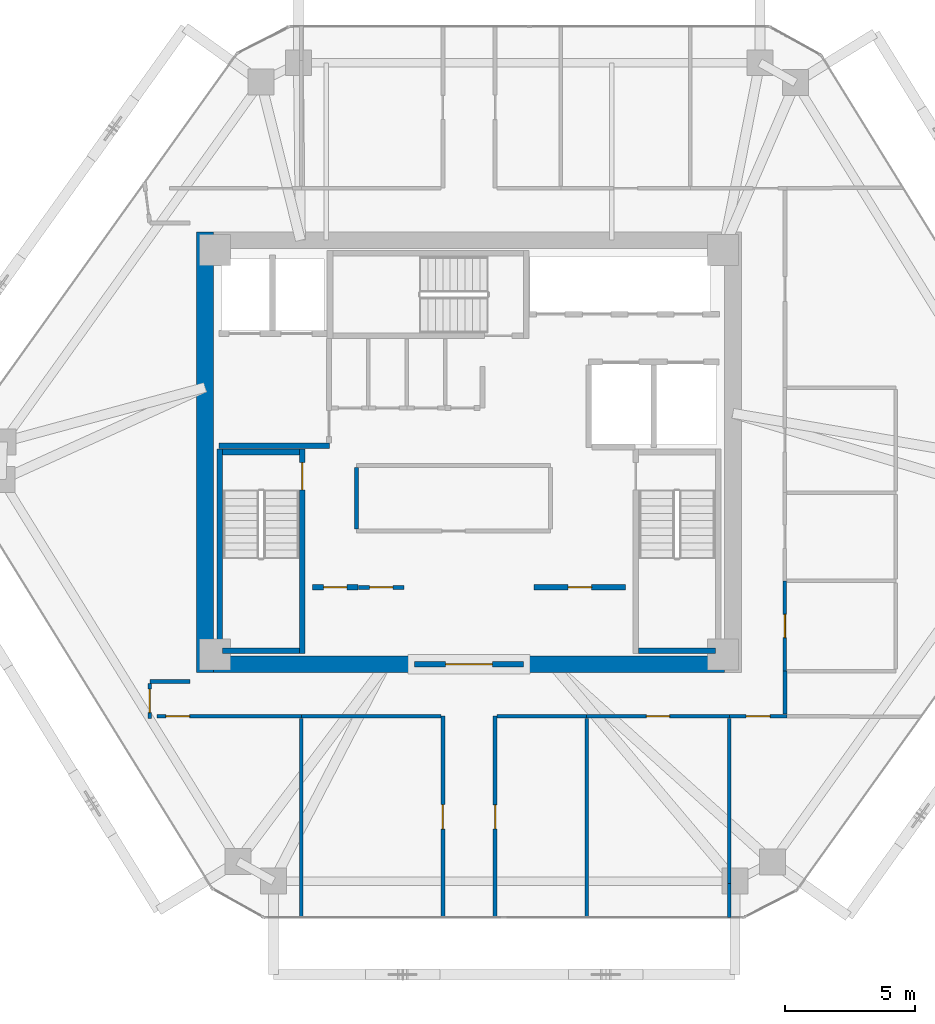
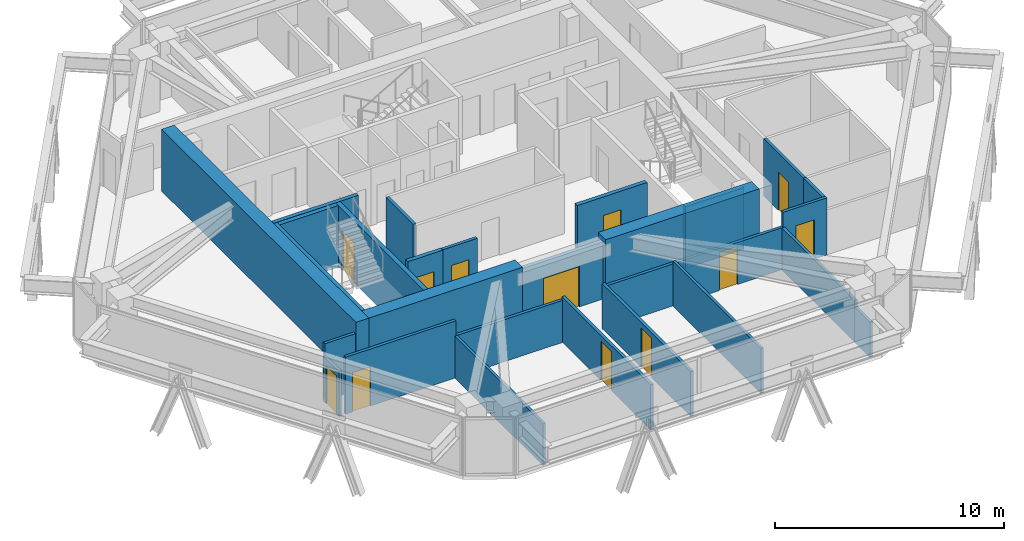
# One storey, part 10 of 14: 29 walls, 12 doors, 12 openings.
"""IFC4 building model written with IfcOpenShell, lengths in metres."""

from ifc_helpers import new_model, si_unit, direction, frame, frame_2d, origin, place, context, subcontext, project, spatial, rectangle, extrude, source, transform, mapped, material, layer, layer_set, type_object, type_shapes, element, fill, save


model = new_model("IFC4")

# Units and contexts
model_context = context("Model", 3, precision=1e-05, world=origin(), true_north=direction((0.0, 1.0)))
body_context = subcontext(model_context, "Body", "Model", "MODEL_VIEW")
ifc_project = project(units=[si_unit("LENGTHUNIT", "METRE"), si_unit("AREAUNIT", "SQUARE_METRE"), si_unit("VOLUMEUNIT", "CUBIC_METRE"), si_unit("PLANEANGLEUNIT", "RADIAN"), si_unit("MASSUNIT", "GRAM", prefix="KILO")], contexts=[model_context])

# Site, building, storey
site_placement = place(None, origin())
site = spatial("IfcSite", under=ifc_project, at=site_placement, CompositionType="ELEMENT")
building_placement = place(site_placement, origin())
building = spatial("IfcBuilding", under=site, at=building_placement, Name="Durnholm Broadcast Tower", CompositionType="ELEMENT")
storey_placement = place(building_placement, frame((0.0, 0.0, 180.39990234375)))
storey = spatial("IfcBuildingStorey", under=building, at=storey_placement, Name="L49", CompositionType="ELEMENT", Elevation=180.39990234375)

# Walls
ifc_material_1 = material(Name="Concrete C70/85", Category="concrete")
ifc_layer_1 = layer(ifc_material_1, 0.64990234375)
ifc_layer_set_1 = layer_set([ifc_layer_1], Name="Concrete C70/85")
wall_type_1 = type_object("IfcWallType", Name="WALL-CW-650", PredefinedType="SHEAR", material=ifc_layer_set_1)
wall_1_placement = place(storey_placement, frame((-10.175048828125, -8.5, 0.0), z_axis=(0.0, 0.0, 1.0), x_axis=(0.0, 1.0, 0.0)))
element("IfcWall", 1, at=wall_1_placement, inside=storey, type_object=wall_type_1, Name="L49 central core shear wall CW-WEST", PredefinedType="SHEAR", context=body_context, shape_type="SweptSolid", body=[
    extrude(rectangle(XDim=17.0, YDim=0.64990234375, at=frame_2d((8.5, 0.0))), origin(), (0.0, 0.0, 1.0), 3.300048828125),
])
for number, where, z_axis, x_axis, name in (
    (2, (-9.85009765625, -8.175048828125, 0.0), (0.0, 0.0, 1.0), (1.0, 0.0, 0.0), "L49 central core shear wall CW-S1"),
    (3, (2.10009765625, -8.175048828125, 0.0), (0.0, 0.0, 1.0), (1.0, 0.0, 0.0), "L49 central core shear wall CW-S2"),
):
    element("IfcWall", number, at=place(storey_placement, frame(where, z_axis=z_axis, x_axis=x_axis)), inside=storey, type_object=wall_type_1, Name=name, PredefinedType="SHEAR", context=body_context, shape_type="SweptSolid", body=[
        extrude(rectangle(XDim=7.75, YDim=0.64990234375, at=frame_2d((3.875, 0.0))), origin(), (0.0, 0.0, 1.0), 3.300048828125),
    ])

# Wall, opening, door
ifc_material_2 = material(Name="Fire-Rated Gypsum Shaftwall", Category="concrete")
ifc_layer_2 = layer(ifc_material_2, 0.199951171875)
ifc_layer_set_2 = layer_set([ifc_layer_2], Name="Fire-Rated Gypsum Shaftwall")
wall_type_2 = type_object("IfcWallType", Name="WALL-LOB-200", PredefinedType="SOLIDWALL", material=ifc_layer_set_2)
wall_2_placement = place(storey_placement, frame((-2.10009765625, -8.175048828125, 0.0), z_axis=(0.0, 0.0, 1.0), x_axis=(1.0, 0.0, 0.0)))
wall_2 = element("IfcWall", 4, at=wall_2_placement, inside=storey, type_object=wall_type_2, Name="L49 south core lobby fire screen", PredefinedType="SOLIDWALL", context=body_context, shape_type="SweptSolid", body=[
    extrude(rectangle(XDim=4.2001953125, YDim=0.199951171875, at=frame_2d((2.10009765625, 0.0))), origin(), (0.0, 0.0, 1.0), 3.045166015625),
])
opening_1_placement = place(wall_2_placement, frame((1.199951171875, 0.0, 0.0)))
opening_1 = element("IfcOpeningElement", 5, at=opening_1_placement, cuts=wall_2, Name="Opening DP-60", PredefinedType="OPENING", context=body_context, shape_type="SweptSolid", body=[
    extrude(rectangle(XDim=1.800048828125, YDim=2.14990234375, at=frame_2d((0.89990234375, 1.074951171875))), frame((0.0, 0.10986328125, 0.0), z_axis=(0.0, -1.0, 0.0), x_axis=(1.0, 0.0, 0.0)), (0.0, 0.0, 1.0), 0.219970703125),
])
ifc_material_3 = material(Name="Fire-Rated Double Corridor Door", Category="steel")
ifc_layer_3 = layer(ifc_material_3, 0.050048828125)
ifc_layer_set_3 = layer_set([ifc_layer_3], Name="Fire-Rated Double Corridor Door")
door_type_1 = type_object("IfcDoorType", Name="DOOR-PAIR-FD60", OperationType="DOUBLE_DOOR_SINGLE_SWING", PredefinedType="DOOR", material=ifc_layer_set_3)
shared_shape_1 = source(origin(), body_context, "Body", "SweptSolid", [
    extrude(rectangle(XDim=1.800048828125, YDim=2.14990234375, at=frame_2d((0.89990234375, 1.074951171875))), frame((0.0, 0.02490234375, 0.0), z_axis=(0.0, -1.0, 0.0), x_axis=(1.0, 0.0, 0.0)), (0.0, 0.0, 1.0), 0.050048828125),
])
type_shapes(door_type_1, [shared_shape_1])
door_1_placement = place(opening_1_placement, origin())
door_1 = element("IfcDoor", 6, at=door_1_placement, inside=storey, type_object=door_type_1, Name="L49 south core lobby double fire door", OperationType="DOUBLE_DOOR_SINGLE_SWING", OverallHeight=2.14990234375, OverallWidth=1.800048828125, PredefinedType="DOOR", context=body_context, shape_type="MappedRepresentation", body=[
    mapped(shared_shape_1, transform((0.0, 0.0, 0.0), x_axis=(1.0, 0.0, 0.0), y_axis=(0.0, 1.0, 0.0), z_axis=(0.0, 0.0, 1.0), scale=1.0)),
])
fill(opening_1, door_1)

# Wall
wall_3_placement = place(storey_placement, frame((-9.64990234375, 0.25, 0.0), z_axis=(0.0, 0.0, 1.0), x_axis=(1.0, 0.0, 0.0)))
element("IfcWall", 7, at=wall_3_placement, inside=storey, type_object=wall_type_2, Name="L49 Fire Service Access Elevator lobby south wall", PredefinedType="SOLIDWALL", context=body_context, shape_type="SweptSolid", body=[
    extrude(rectangle(XDim=4.27001953125, YDim=0.199951171875, at=frame_2d((2.135009765625, 0.0))), origin(), (0.0, 0.0, 1.0), 3.045166015625),
])

# Wall, opening, door
wall_4_placement = place(storey_placement, frame((-6.0400390625, -5.2099609375, 0.0), z_axis=(0.0, 0.0, 1.0), x_axis=(1.0, 0.0, 0.0)))
wall_4 = element("IfcWall", 8, at=wall_4_placement, inside=storey, type_object=wall_type_2, Name="L49 Media Fiber Patch Room corridor partition", PredefinedType="SOLIDWALL", context=body_context, shape_type="SweptSolid", body=[
    extrude(rectangle(XDim=1.760009765625, YDim=0.199951171875, at=frame_2d((0.8798828125, 0.0))), origin(), (0.0, 0.0, 1.0), 3.045166015625),
])
opening_2_placement = place(wall_4_placement, frame((0.429931640625, 0.0, 0.0)))
opening_2 = element("IfcOpeningElement", 9, at=opening_2_placement, cuts=wall_4, Name="Opening DC-60R", PredefinedType="OPENING", context=body_context, shape_type="SweptSolid", body=[
    extrude(rectangle(XDim=0.89990234375, YDim=2.050048828125, at=frame_2d((0.449951171875, 1.02490234375))), frame((0.0, 0.10986328125, 0.0), z_axis=(0.0, -1.0, 0.0), x_axis=(1.0, 0.0, 0.0)), (0.0, 0.0, 1.0), 0.219970703125),
])
ifc_material_4 = material(Name="Fire-Rated Core Service Door", Category="steel")
ifc_layer_4 = layer(ifc_material_4, 0.050048828125)
ifc_layer_set_4 = layer_set([ifc_layer_4], Name="Fire-Rated Core Service Door")
door_type_2 = type_object("IfcDoorType", Name="DOOR-CORE-FD60-R", OperationType="NOTDEFINED", PredefinedType="DOOR", material=ifc_layer_set_4)
shared_shape_2 = source(origin(), body_context, "Body", "SweptSolid", [
    extrude(rectangle(XDim=0.89990234375, YDim=2.050048828125, at=frame_2d((0.449951171875, 1.02490234375))), frame((0.0, 0.02490234375, 0.0), z_axis=(0.0, -1.0, 0.0), x_axis=(1.0, 0.0, 0.0)), (0.0, 0.0, 1.0), 0.050048828125),
])
type_shapes(door_type_2, [shared_shape_2])
door_2_placement = place(opening_2_placement, origin())
door_2 = element("IfcDoor", 10, at=door_2_placement, inside=storey, type_object=door_type_2, Name="L49 Media Fiber Patch Room entrance door", OperationType="SINGLE_SWING_RIGHT", OverallHeight=2.050048828125, OverallWidth=0.89990234375, PredefinedType="DOOR", context=body_context, shape_type="MappedRepresentation", body=[
    mapped(shared_shape_2, transform((0.0, 0.0, 0.0), x_axis=(1.0, 0.0, 0.0), y_axis=(0.0, 1.0, 0.0), z_axis=(0.0, 0.0, 1.0), scale=1.0)),
])
fill(opening_2, door_2)

wall_5_placement = place(storey_placement, frame((2.510009765625, -5.2099609375, 0.0), z_axis=(0.0, 0.0, 1.0), x_axis=(1.0, 0.0, 0.0)))
wall_5 = element("IfcWall", 11, at=wall_5_placement, inside=storey, type_object=wall_type_2, Name="L49 Telemetry Control Closet corridor partition", PredefinedType="SOLIDWALL", context=body_context, shape_type="SweptSolid", body=[
    extrude(rectangle(XDim=3.530029296875, YDim=0.199951171875, at=frame_2d((1.76513671875, 0.0))), origin(), (0.0, 0.0, 1.0), 3.045166015625),
])
opening_3_placement = place(wall_5_placement, frame((1.31494140625, 0.0, 0.0)))
opening_3 = element("IfcOpeningElement", 12, at=opening_3_placement, cuts=wall_5, Name="Opening DC-60R", PredefinedType="OPENING", context=body_context, shape_type="SweptSolid", body=[
    extrude(rectangle(XDim=0.89990234375, YDim=2.050048828125, at=frame_2d((0.449951171875, 1.02490234375))), frame((0.0, 0.10986328125, 0.0), z_axis=(0.0, -1.0, 0.0), x_axis=(1.0, 0.0, 0.0)), (0.0, 0.0, 1.0), 0.219970703125),
])
door_3_placement = place(opening_3_placement, origin())
door_3 = element("IfcDoor", 13, at=door_3_placement, inside=storey, type_object=door_type_2, Name="L49 Telemetry Control Closet entrance door", OperationType="SINGLE_SWING_RIGHT", OverallHeight=2.050048828125, OverallWidth=0.89990234375, PredefinedType="DOOR", context=body_context, shape_type="MappedRepresentation", body=[
    mapped(shared_shape_2, transform((0.0, 0.0, 0.0), x_axis=(1.0, 0.0, 0.0), y_axis=(0.0, 1.0, 0.0), z_axis=(0.0, 0.0, 1.0), scale=1.0)),
])
fill(opening_3, door_3)

# Walls
ifc_material_5 = material(Name="Gypsum Metal Stud Partition", Category="concrete")
ifc_layer_5 = layer(ifc_material_5, 0.135009765625)
ifc_layer_set_5 = layer_set([ifc_layer_5], Name="Gypsum Metal Stud Partition")
wall_type_3 = type_object("IfcWallType", Name="WALL-PART-135", PredefinedType="PARTITIONING", material=ifc_layer_set_5)
wall_6_placement = place(storey_placement, frame((-6.4599609375, -10.259033203125, 0.0), z_axis=(0.0, 0.0, 1.0), x_axis=(0.0, -1.0, 0.0)))
element("IfcWall", 14, at=wall_6_placement, inside=storey, type_object=wall_type_3, Name="L49 room dividing partition 17.18", PredefinedType="PARTITIONING", context=body_context, shape_type="SweptSolid", body=[
    extrude(rectangle(XDim=7.682861328125, YDim=0.135009765625, at=frame_2d((3.84130859375, 0.0))), origin(), (0.0, 0.0, 1.0), 2.241943359375),
])
wall_7_placement = place(storey_placement, frame((4.5400390625, -10.259033203125, 0.0), z_axis=(0.0, 0.0, 1.0), x_axis=(0.0, -1.0, 0.0)))
element("IfcWall", 15, at=wall_7_placement, inside=storey, type_object=wall_type_3, Name="L49 room dividing partition 19.20", PredefinedType="PARTITIONING", context=body_context, shape_type="SweptSolid", body=[
    extrude(rectangle(XDim=7.682861328125, YDim=0.135009765625, at=frame_2d((3.84130859375, 0.0))), origin(), (0.0, 0.0, 1.0), 2.39892578125),
])
wall_8_placement = place(storey_placement, frame((10.0400390625, -10.259033203125, 0.0), z_axis=(0.0, 0.0, 1.0), x_axis=(0.0, -1.0, 0.0)))
element("IfcWall", 16, at=wall_8_placement, inside=storey, type_object=wall_type_3, Name="L49 room dividing partition 20.21", PredefinedType="PARTITIONING", context=body_context, shape_type="SweptSolid", body=[
    extrude(rectangle(XDim=6.366943359375, YDim=0.135009765625, at=frame_2d((3.18359375, 0.0))), origin(), (0.0, 0.0, 1.0), 2.241943359375),
])
wall_9_placement = place(storey_placement, frame((10.0400390625, -16.6259765625, 0.0), z_axis=(0.0, 0.0, 1.0), x_axis=(0.0, -1.0, 0.0)))
element("IfcWall", 17, at=wall_9_placement, inside=storey, type_object=wall_type_3, Name="L49 room dividing partition 20.21", PredefinedType="PARTITIONING", context=body_context, shape_type="SweptSolid", body=[
    extrude(rectangle(XDim=1.31591796875, YDim=0.135009765625, at=frame_2d((0.657958984375, 0.0))), origin(), (0.0, 0.0, 1.0), 1.877197265625),
])

# Wall, opening, door
ifc_material_6 = material(Name="Acoustic Gypsum Stud Partition", Category="concrete")
ifc_layer_6 = layer(ifc_material_6, 0.14990234375)
ifc_layer_set_6 = layer_set([ifc_layer_6], Name="Acoustic Gypsum Stud Partition")
wall_type_4 = type_object("IfcWallType", Name="WALL-PART-150", PredefinedType="PARTITIONING", material=ifc_layer_set_6)
wall_10_placement = place(storey_placement, frame((-4.260009765625, -5.2099609375, 0.0), z_axis=(0.0, 0.0, 1.0), x_axis=(1.0, 0.0, 0.0)))
wall_10 = element("IfcWall", 18, at=wall_10_placement, inside=storey, type_object=wall_type_4, Name="L49 Copy and Print Room corridor partition", PredefinedType="PARTITIONING", context=body_context, shape_type="SweptSolid", body=[
    extrude(rectangle(XDim=1.75, YDim=0.14990234375, at=frame_2d((0.875, 0.0))), origin(), (0.0, 0.0, 1.0), 3.045166015625),
])
opening_4_placement = place(wall_10_placement, frame((0.425048828125, 0.0, 0.0)))
opening_4 = element("IfcOpeningElement", 19, at=opening_4_placement, cuts=wall_10, Name="Opening DC-60L", PredefinedType="OPENING", context=body_context, shape_type="SweptSolid", body=[
    extrude(rectangle(XDim=0.89990234375, YDim=2.050048828125, at=frame_2d((0.449951171875, 1.02490234375))), frame((0.0, 0.0849609375, 0.0), z_axis=(0.0, -1.0, 0.0), x_axis=(1.0, 0.0, 0.0)), (0.0, 0.0, 1.0), 0.169921875),
])
ifc_layer_7 = layer(ifc_material_4, 0.050048828125)
ifc_layer_set_7 = layer_set([ifc_layer_7], Name="Fire-Rated Core Service Door")
door_type_3 = type_object("IfcDoorType", Name="DOOR-CORE-FD60-L", OperationType="NOTDEFINED", PredefinedType="DOOR", material=ifc_layer_set_7)
shared_shape_3 = source(origin(), body_context, "Body", "SweptSolid", [
    extrude(rectangle(XDim=0.89990234375, YDim=2.050048828125, at=frame_2d((0.449951171875, 1.02490234375))), frame((0.0, 0.02490234375, 0.0), z_axis=(0.0, -1.0, 0.0), x_axis=(1.0, 0.0, 0.0)), (0.0, 0.0, 1.0), 0.050048828125),
])
type_shapes(door_type_3, [shared_shape_3])
door_4_placement = place(opening_4_placement, origin())
door_4 = element("IfcDoor", 20, at=door_4_placement, inside=storey, type_object=door_type_3, Name="L49 Copy and Print Room entrance door", OperationType="SINGLE_SWING_LEFT", OverallHeight=2.050048828125, OverallWidth=0.89990234375, PredefinedType="DOOR", context=body_context, shape_type="MappedRepresentation", body=[
    mapped(shared_shape_3, transform((0.0, 0.0, 0.0), x_axis=(1.0, 0.0, 0.0), y_axis=(0.0, 1.0, 0.0), z_axis=(0.0, 0.0, 1.0), scale=1.0)),
])
fill(opening_4, door_4)

# Wall
wall_11_placement = place(storey_placement, frame((-4.340087890625, -2.9609375, 0.0), z_axis=(0.0, 0.0, 1.0), x_axis=(0.0, 1.0, 0.0)))
element("IfcWall", 21, at=wall_11_placement, inside=storey, type_object=wall_type_4, Name="L49 Broadcast Equipment Pantry corridor partition", PredefinedType="PARTITIONING", context=body_context, shape_type="SweptSolid", body=[
    extrude(rectangle(XDim=2.371826171875, YDim=0.14990234375, at=frame_2d((1.18603515625, 0.0))), origin(), (0.0, 0.0, 1.0), 3.045166015625),
])

# Wall, opening, door
wall_12_placement = place(storey_placement, frame((-12.0400390625, -10.179931640625, 0.0), z_axis=(0.0, 0.0, 1.0), x_axis=(1.0, 0.0, 0.0)))
wall_12 = element("IfcWall", 22, at=wall_12_placement, inside=storey, type_object=wall_type_4, Name="L49 Producer Office 1 corridor partition", PredefinedType="PARTITIONING", context=body_context, shape_type="SweptSolid", body=[
    extrude(rectangle(XDim=5.580078125, YDim=0.14990234375, at=frame_2d((2.7900390625, 0.0))), origin(), (0.0, 0.0, 1.0), 3.045166015625),
])
opening_5_placement = place(wall_12_placement, frame((0.35009765625, 0.0, 0.0)))
opening_5 = element("IfcOpeningElement", 23, at=opening_5_placement, cuts=wall_12, Name="Opening DR-92R", PredefinedType="OPENING", context=body_context, shape_type="SweptSolid", body=[
    extrude(rectangle(XDim=0.919921875, YDim=2.10009765625, at=frame_2d((0.4599609375, 1.050048828125))), frame((0.0, 0.0849609375, 0.0), z_axis=(0.0, -1.0, 0.0), x_axis=(1.0, 0.0, 0.0)), (0.0, 0.0, 1.0), 0.169921875),
])
ifc_material_7 = material(Name="Oak Veneer Office Door", Category="wood")
ifc_layer_8 = layer(ifc_material_7, 0.050048828125)
ifc_layer_set_8 = layer_set([ifc_layer_8], Name="Oak Veneer Office Door")
door_type_4 = type_object("IfcDoorType", Name="DOOR-RM-920R", OperationType="NOTDEFINED", PredefinedType="DOOR", material=ifc_layer_set_8)
shared_shape_4 = source(origin(), body_context, "Body", "SweptSolid", [
    extrude(rectangle(XDim=0.919921875, YDim=2.10009765625, at=frame_2d((0.4599609375, 1.050048828125))), frame((0.0, 0.02490234375, 0.0), z_axis=(0.0, -1.0, 0.0), x_axis=(1.0, 0.0, 0.0)), (0.0, 0.0, 1.0), 0.050048828125),
])
type_shapes(door_type_4, [shared_shape_4])
door_5_placement = place(opening_5_placement, origin())
door_5 = element("IfcDoor", 24, at=door_5_placement, inside=storey, type_object=door_type_4, Name="L49 Producer Office 1 entrance door", OperationType="SINGLE_SWING_RIGHT", OverallHeight=2.10009765625, OverallWidth=0.919921875, PredefinedType="DOOR", context=body_context, shape_type="MappedRepresentation", body=[
    mapped(shared_shape_4, transform((0.0, 0.0, 0.0), x_axis=(1.0, 0.0, 0.0), y_axis=(0.0, 1.0, 0.0), z_axis=(0.0, 0.0, 1.0), scale=1.0)),
])
fill(opening_5, door_5)

wall_13_placement = place(storey_placement, frame((-1.010009765625, -10.179931640625, 0.0), z_axis=(0.0, 0.0, 1.0), x_axis=(0.0, -1.0, 0.0)))
wall_13 = element("IfcWall", 25, at=wall_13_placement, inside=storey, type_object=wall_type_4, Name="L49 Producer Office 2 corridor partition", PredefinedType="PARTITIONING", context=body_context, shape_type="SweptSolid", body=[
    extrude(rectangle(XDim=7.761962890625, YDim=0.14990234375, at=frame_2d((3.880859375, 0.0))), origin(), (0.0, 0.0, 1.0), 2.39892578125),
])
opening_6_placement = place(wall_13_placement, frame((3.406005859375, 0.0, 0.0)))
opening_6 = element("IfcOpeningElement", 26, at=opening_6_placement, cuts=wall_13, Name="Opening DR-95L", PredefinedType="OPENING", context=body_context, shape_type="SweptSolid", body=[
    extrude(rectangle(XDim=0.949951171875, YDim=2.10009765625, at=frame_2d((0.47509765625, 1.050048828125))), frame((0.0, 0.0849609375, 0.0), z_axis=(0.0, -1.0, 0.0), x_axis=(1.0, 0.0, 0.0)), (0.0, 0.0, 1.0), 0.169921875),
])
ifc_material_8 = material(Name="Acoustic Oak Veneer Timber Door", Category="wood")
ifc_layer_9 = layer(ifc_material_8, 0.050048828125)
ifc_layer_set_9 = layer_set([ifc_layer_9], Name="Acoustic Oak Veneer Timber Door")
door_type_5 = type_object("IfcDoorType", Name="DOOR-RM-950L", OperationType="NOTDEFINED", PredefinedType="DOOR", material=ifc_layer_set_9)
shared_shape_5 = source(origin(), body_context, "Body", "SweptSolid", [
    extrude(rectangle(XDim=0.949951171875, YDim=2.10009765625, at=frame_2d((0.47509765625, 1.050048828125))), frame((0.0, 0.02490234375, 0.0), z_axis=(0.0, -1.0, 0.0), x_axis=(1.0, 0.0, 0.0)), (0.0, 0.0, 1.0), 0.050048828125),
])
type_shapes(door_type_5, [shared_shape_5])
door_6_placement = place(opening_6_placement, origin())
door_6 = element("IfcDoor", 27, at=door_6_placement, inside=storey, type_object=door_type_5, Name="L49 Producer Office 2 entrance door", OperationType="SINGLE_SWING_LEFT", OverallHeight=2.10009765625, OverallWidth=0.949951171875, PredefinedType="DOOR", context=body_context, shape_type="MappedRepresentation", body=[
    mapped(shared_shape_5, transform((0.0, 0.0, 0.0), x_axis=(1.0, 0.0, 0.0), y_axis=(0.0, 1.0, 0.0), z_axis=(0.0, 0.0, 1.0), scale=1.0)),
])
fill(opening_6, door_6)

# Wall
wall_14_placement = place(storey_placement, frame((-6.4599609375, -10.179931640625, 0.0), z_axis=(0.0, 0.0, 1.0), x_axis=(1.0, 0.0, 0.0)))
element("IfcWall", 28, at=wall_14_placement, inside=storey, type_object=wall_type_4, Name="L49 Producer Office 2 corridor partition", PredefinedType="PARTITIONING", context=body_context, shape_type="SweptSolid", body=[
    extrude(rectangle(XDim=5.370849609375, YDim=0.14990234375, at=frame_2d((2.685546875, 0.0))), origin(), (0.0, 0.0, 1.0), 2.241943359375),
])

# Wall, opening, door
wall_15_placement = place(storey_placement, frame((1.010009765625, -17.94189453125, 0.0), z_axis=(0.0, 0.0, 1.0), x_axis=(0.0, 1.0, 0.0)))
wall_15 = element("IfcWall", 29, at=wall_15_placement, inside=storey, type_object=wall_type_4, Name="L49 Festival Office corridor partition", PredefinedType="PARTITIONING", context=body_context, shape_type="SweptSolid", body=[
    extrude(rectangle(XDim=7.761962890625, YDim=0.14990234375, at=frame_2d((3.880859375, 0.0))), origin(), (0.0, 0.0, 1.0), 2.39892578125),
])
opening_7_placement = place(wall_15_placement, frame((3.4208984375, 0.0, 0.0)))
opening_7 = element("IfcOpeningElement", 30, at=opening_7_placement, cuts=wall_15, Name="Opening DR-92R", PredefinedType="OPENING", context=body_context, shape_type="SweptSolid", body=[
    extrude(rectangle(XDim=0.919921875, YDim=2.10009765625, at=frame_2d((0.4599609375, 1.050048828125))), frame((0.0, 0.0849609375, 0.0), z_axis=(0.0, -1.0, 0.0), x_axis=(1.0, 0.0, 0.0)), (0.0, 0.0, 1.0), 0.169921875),
])
door_7_placement = place(opening_7_placement, origin())
door_7 = element("IfcDoor", 31, at=door_7_placement, inside=storey, type_object=door_type_4, Name="L49 Festival Office entrance door", OperationType="SINGLE_SWING_RIGHT", OverallHeight=2.10009765625, OverallWidth=0.919921875, PredefinedType="DOOR", context=body_context, shape_type="MappedRepresentation", body=[
    mapped(shared_shape_4, transform((0.0, 0.0, 0.0), x_axis=(1.0, 0.0, 0.0), y_axis=(0.0, 1.0, 0.0), z_axis=(0.0, 0.0, 1.0), scale=1.0)),
])
fill(opening_7, door_7)

# Wall
wall_16_placement = place(storey_placement, frame((1.089111328125, -10.179931640625, 0.0), z_axis=(0.0, 0.0, 1.0), x_axis=(1.0, 0.0, 0.0)))
element("IfcWall", 32, at=wall_16_placement, inside=storey, type_object=wall_type_4, Name="L49 Festival Office corridor partition", PredefinedType="PARTITIONING", context=body_context, shape_type="SweptSolid", body=[
    extrude(rectangle(XDim=3.450927734375, YDim=0.14990234375, at=frame_2d((1.7255859375, 0.0))), origin(), (0.0, 0.0, 1.0), 2.241943359375),
])

# Wall, opening, door
wall_17_placement = place(storey_placement, frame((4.5400390625, -10.179931640625, 0.0), z_axis=(0.0, 0.0, 1.0), x_axis=(1.0, 0.0, 0.0)))
wall_17 = element("IfcWall", 33, at=wall_17_placement, inside=storey, type_object=wall_type_4, Name="L49 Vault Store corridor partition", PredefinedType="PARTITIONING", context=body_context, shape_type="SweptSolid", body=[
    extrude(rectangle(XDim=5.5, YDim=0.14990234375, at=frame_2d((2.75, 0.0))), origin(), (0.0, 0.0, 1.0), 2.241943359375),
])
opening_8_placement = place(wall_17_placement, frame((2.300048828125, 0.0, 0.0)))
opening_8 = element("IfcOpeningElement", 34, at=opening_8_placement, cuts=wall_17, Name="Opening DC-60L", PredefinedType="OPENING", context=body_context, shape_type="SweptSolid", body=[
    extrude(rectangle(XDim=0.89990234375, YDim=2.050048828125, at=frame_2d((0.449951171875, 1.02490234375))), frame((0.0, 0.0849609375, 0.0), z_axis=(0.0, -1.0, 0.0), x_axis=(1.0, 0.0, 0.0)), (0.0, 0.0, 1.0), 0.169921875),
])
door_8_placement = place(opening_8_placement, origin())
door_8 = element("IfcDoor", 35, at=door_8_placement, inside=storey, type_object=door_type_3, Name="L49 Vault Store entrance door", OperationType="SINGLE_SWING_LEFT", OverallHeight=2.050048828125, OverallWidth=0.89990234375, PredefinedType="DOOR", context=body_context, shape_type="MappedRepresentation", body=[
    mapped(shared_shape_3, transform((0.0, 0.0, 0.0), x_axis=(1.0, 0.0, 0.0), y_axis=(0.0, 1.0, 0.0), z_axis=(0.0, 0.0, 1.0), scale=1.0)),
])
fill(opening_8, door_8)

wall_18_placement = place(storey_placement, frame((10.0400390625, -10.179931640625, 0.0), z_axis=(0.0, 0.0, 1.0), x_axis=(1.0, 0.0, 0.0)))
wall_18 = element("IfcWall", 36, at=wall_18_placement, inside=storey, type_object=wall_type_4, Name="L49 Documentary Office 1 corridor partition", PredefinedType="PARTITIONING", context=body_context, shape_type="SweptSolid", body=[
    extrude(rectangle(XDim=2.219970703125, YDim=0.14990234375, at=frame_2d((1.10986328125, 0.0))), origin(), (0.0, 0.0, 1.0), 3.045166015625),
])
opening_9_placement = place(wall_18_placement, frame((0.64990234375, 0.0, 0.0)))
opening_9 = element("IfcOpeningElement", 37, at=opening_9_placement, cuts=wall_18, Name="Opening DR-92R", PredefinedType="OPENING", context=body_context, shape_type="SweptSolid", body=[
    extrude(rectangle(XDim=0.919921875, YDim=2.10009765625, at=frame_2d((0.4599609375, 1.050048828125))), frame((0.0, 0.0849609375, 0.0), z_axis=(0.0, -1.0, 0.0), x_axis=(1.0, 0.0, 0.0)), (0.0, 0.0, 1.0), 0.169921875),
])
door_9_placement = place(opening_9_placement, origin())
door_9 = element("IfcDoor", 38, at=door_9_placement, inside=storey, type_object=door_type_4, Name="L49 Documentary Office 1 entrance door", OperationType="SINGLE_SWING_RIGHT", OverallHeight=2.10009765625, OverallWidth=0.919921875, PredefinedType="DOOR", context=body_context, shape_type="MappedRepresentation", body=[
    mapped(shared_shape_4, transform((0.0, 0.0, 0.0), x_axis=(1.0, 0.0, 0.0), y_axis=(0.0, 1.0, 0.0), z_axis=(0.0, 0.0, 1.0), scale=1.0)),
])
fill(opening_9, door_9)

# Wall
wall_19_placement = place(storey_placement, frame((-10.760009765625, -8.840087890625, 0.0), z_axis=(0.0, 0.0, 1.0), x_axis=(-1.0, 0.0, 0.0)))
element("IfcWall", 39, at=wall_19_placement, inside=storey, type_object=wall_type_4, Name="L49 Rough-Cut Office 1 corridor partition", PredefinedType="PARTITIONING", context=body_context, shape_type="SweptSolid", body=[
    extrude(rectangle(XDim=1.550048828125, YDim=0.14990234375, at=frame_2d((0.77490234375, 0.0))), origin(), (0.0, 0.0, 1.0), 3.045166015625),
])

# Wall, opening, door
wall_20_placement = place(storey_placement, frame((-12.31005859375, -8.9189453125, 0.0), z_axis=(0.0, 0.0, 1.0), x_axis=(0.0, -1.0, 0.0)))
wall_20 = element("IfcWall", 40, at=wall_20_placement, inside=storey, type_object=wall_type_4, Name="L49 Rough-Cut Office 1 corridor partition", PredefinedType="PARTITIONING", context=body_context, shape_type="SweptSolid", body=[
    extrude(rectangle(XDim=1.341064453125, YDim=0.14990234375, at=frame_2d((0.67041015625, 0.0))), origin(), (0.0, 0.0, 1.0), 2.39892578125),
])
opening_10_placement = place(wall_20_placement, frame((0.220458984375, 0.0, 0.0)))
opening_10 = element("IfcOpeningElement", 41, at=opening_10_placement, cuts=wall_20, Name="Opening DW-90R", PredefinedType="OPENING", context=body_context, shape_type="SweptSolid", body=[
    extrude(rectangle(XDim=0.89990234375, YDim=2.050048828125, at=frame_2d((0.449951171875, 1.02490234375))), frame((0.0, 0.0849609375, 0.0), z_axis=(0.0, -1.0, 0.0), x_axis=(1.0, 0.0, 0.0)), (0.0, 0.0, 1.0), 0.169921875),
])
ifc_material_9 = material(Name="Laminate Restroom Door", Category="steel")
ifc_layer_10 = layer(ifc_material_9, 0.050048828125)
ifc_layer_set_10 = layer_set([ifc_layer_10], Name="Laminate Restroom Door")
door_type_6 = type_object("IfcDoorType", Name="DOOR-WC-900R", OperationType="NOTDEFINED", PredefinedType="DOOR", material=ifc_layer_set_10)
shared_shape_6 = source(origin(), body_context, "Body", "SweptSolid", [
    extrude(rectangle(XDim=0.89990234375, YDim=2.050048828125, at=frame_2d((0.449951171875, 1.02490234375))), frame((0.0, 0.02490234375, 0.0), z_axis=(0.0, -1.0, 0.0), x_axis=(1.0, 0.0, 0.0)), (0.0, 0.0, 1.0), 0.050048828125),
])
type_shapes(door_type_6, [shared_shape_6])
door_10_placement = place(opening_10_placement, origin())
door_10 = element("IfcDoor", 42, at=door_10_placement, inside=storey, type_object=door_type_6, Name="L49 Rough-Cut Office 1 entrance door", OperationType="SINGLE_SWING_RIGHT", OverallHeight=2.050048828125, OverallWidth=0.89990234375, PredefinedType="DOOR", context=body_context, shape_type="MappedRepresentation", body=[
    mapped(shared_shape_6, transform((0.0, 0.0, 0.0), x_axis=(1.0, 0.0, 0.0), y_axis=(0.0, 1.0, 0.0), z_axis=(0.0, 0.0, 1.0), scale=1.0)),
])
fill(opening_10, door_10)

# Wall
wall_21_placement = place(storey_placement, frame((12.179931640625, -10.10107421875, 0.0), z_axis=(0.0, 0.0, 1.0), x_axis=(0.0, 1.0, 0.0)))
element("IfcWall", 43, at=wall_21_placement, inside=storey, type_object=wall_type_4, Name="L49 Archival Office corridor partition", PredefinedType="PARTITIONING", context=body_context, shape_type="SweptSolid", body=[
    extrude(rectangle(XDim=1.6611328125, YDim=0.14990234375, at=frame_2d((0.83056640625, 0.0))), origin(), (0.0, 0.0, 1.0), 3.045166015625),
])

# Wall, opening, door
ifc_material_10 = material(Name="Concrete C50/60", Category="concrete")
ifc_layer_11 = layer(ifc_material_10, 0.219970703125)
ifc_layer_set_11 = layer_set([ifc_layer_11], Name="Concrete C50/60")
wall_type_5 = type_object("IfcWallType", Name="WALL-SW-220", PredefinedType="SHEAR", material=ifc_layer_set_11)
wall_22_placement = place(storey_placement, frame((-6.429931640625, -7.77001953125, -0.239990234375), z_axis=(0.0, 0.0, 1.0), x_axis=(0.0, 1.0, 0.0)))
wall_22 = element("IfcWall", 44, at=wall_22_placement, inside=storey, type_object=wall_type_5, Name="L49 stair ST-1 structural shaft wall E", PredefinedType="SHEAR", context=body_context, shape_type="SweptSolid", body=[
    extrude(rectangle(XDim=7.89013671875, YDim=0.219970703125, at=frame_2d((3.945068359375, 0.0))), origin(), (0.0, 0.0, 1.0), 3.300048828125),
])
opening_11_placement = place(wall_22_placement, frame((6.320068359375, 0.0, 0.0)))
opening_11 = element("IfcOpeningElement", 45, at=opening_11_placement, cuts=wall_22, Name="Opening DS-90L", PredefinedType="OPENING", context=body_context, shape_type="SweptSolid", body=[
    extrude(rectangle(XDim=1.050048828125, YDim=2.14990234375, at=frame_2d((0.52490234375, 1.074951171875))), frame((0.0, 0.1201171875, 0.0), z_axis=(0.0, -1.0, 0.0), x_axis=(1.0, 0.0, 0.0)), (0.0, 0.0, 1.0), 0.239990234375),
])
ifc_material_11 = material(Name="Fire-Rated Steel Door", Category="steel")
ifc_layer_12 = layer(ifc_material_11, 0.050048828125)
ifc_layer_set_12 = layer_set([ifc_layer_12], Name="Fire-Rated Steel Door")
door_type_7 = type_object("IfcDoorType", Name="DOOR-ST-FD90-L", OperationType="NOTDEFINED", PredefinedType="DOOR", material=ifc_layer_set_12)
shared_shape_7 = source(origin(), body_context, "Body", "SweptSolid", [
    extrude(rectangle(XDim=1.050048828125, YDim=2.14990234375, at=frame_2d((0.52490234375, 1.074951171875))), frame((0.0, 0.02490234375, 0.0), z_axis=(0.0, -1.0, 0.0), x_axis=(1.0, 0.0, 0.0)), (0.0, 0.0, 1.0), 0.050048828125),
])
type_shapes(door_type_7, [shared_shape_7])
door_11_placement = place(opening_11_placement, origin())
door_11 = element("IfcDoor", 46, at=door_11_placement, inside=storey, type_object=door_type_7, Name="L49 exit stair ST-1 fire door", OperationType="SINGLE_SWING_LEFT", OverallHeight=2.14990234375, OverallWidth=1.050048828125, PredefinedType="DOOR", context=body_context, shape_type="MappedRepresentation", body=[
    mapped(shared_shape_7, transform((0.0, 0.0, 0.0), x_axis=(1.0, 0.0, 0.0), y_axis=(0.0, 1.0, 0.0), z_axis=(0.0, 0.0, 1.0), scale=1.0)),
])
fill(opening_11, door_11)

# Walls
wall_23_placement = place(storey_placement, frame((-9.610107421875, 0.1201171875, -0.239990234375), z_axis=(0.0, 0.0, 1.0), x_axis=(0.0, -1.0, 0.0)))
element("IfcWall", 47, at=wall_23_placement, inside=storey, type_object=wall_type_5, Name="L49 stair ST-1 structural shaft wall W", PredefinedType="SHEAR", context=body_context, shape_type="SweptSolid", body=[
    extrude(rectangle(XDim=7.89013671875, YDim=0.219970703125, at=frame_2d((3.945068359375, 0.0))), origin(), (0.0, 0.0, 1.0), 3.300048828125),
])
for number, where, z_axis, x_axis, name in (
    (48, (-9.5, -7.659912109375, -0.239990234375), (0.0, 0.0, 1.0), (1.0, 0.0, 0.0), "L49 stair ST-1 structural shaft wall S"),
    (49, (-6.5400390625, 0.010009765625, -0.239990234375), (0.0, 0.0, 1.0), (-1.0, 0.0, 0.0), "L49 stair ST-1 structural shaft wall N"),
    (50, (6.5400390625, -7.659912109375, -0.239990234375), (0.0, 0.0, 1.0), (1.0, 0.0, 0.0), "L49 stair ST-2 structural shaft wall S"),
):
    element("IfcWall", number, at=place(storey_placement, frame(where, z_axis=z_axis, x_axis=x_axis)), inside=storey, type_object=wall_type_5, Name=name, PredefinedType="SHEAR", context=body_context, shape_type="SweptSolid", body=[
        extrude(rectangle(XDim=2.9599609375, YDim=0.219970703125, at=frame_2d((1.47998046875, 0.0))), origin(), (0.0, 0.0, 1.0), 3.300048828125),
    ])

# Wall, opening, door
ifc_material_12 = material(Name="Moisture-Resistant Tile Partition", Category="concrete")
ifc_layer_13 = layer(ifc_material_12, 0.139892578125)
ifc_layer_set_13 = layer_set([ifc_layer_13], Name="Moisture-Resistant Tile Partition")
wall_type_6 = type_object("IfcWallType", Name="WALL-WC-140", PredefinedType="PARTITIONING", material=ifc_layer_set_13)
wall_24_placement = place(storey_placement, frame((12.179931640625, -8.43994140625, 0.0), z_axis=(0.0, 0.0, 1.0), x_axis=(0.0, 1.0, 0.0)))
wall_24 = element("IfcWall", 51, at=wall_24_placement, inside=storey, type_object=wall_type_6, Name="L49 Men's Restroom corridor partition", PredefinedType="PARTITIONING", context=body_context, shape_type="SweptSolid", body=[
    extrude(rectangle(XDim=3.47998046875, YDim=0.139892578125, at=frame_2d((1.739990234375, 0.0))), origin(), (0.0, 0.0, 1.0), 3.045166015625),
])
opening_12_placement = place(wall_24_placement, frame((1.2900390625, 0.0, 0.0)))
opening_12 = element("IfcOpeningElement", 52, at=opening_12_placement, cuts=wall_24, Name="Opening DW-90R", PredefinedType="OPENING", context=body_context, shape_type="SweptSolid", body=[
    extrude(rectangle(XDim=0.89990234375, YDim=2.050048828125, at=frame_2d((0.449951171875, 1.02490234375))), frame((0.0, 0.080078125, 0.0), z_axis=(0.0, -1.0, 0.0), x_axis=(1.0, 0.0, 0.0)), (0.0, 0.0, 1.0), 0.159912109375),
])
door_12_placement = place(opening_12_placement, origin())
door_12 = element("IfcDoor", 53, at=door_12_placement, inside=storey, type_object=door_type_6, Name="L49 Men's Restroom entrance door", OperationType="SINGLE_SWING_RIGHT", OverallHeight=2.050048828125, OverallWidth=0.89990234375, PredefinedType="DOOR", context=body_context, shape_type="MappedRepresentation", body=[
    mapped(shared_shape_6, transform((0.0, 0.0, 0.0), x_axis=(1.0, 0.0, 0.0), y_axis=(0.0, 1.0, 0.0), z_axis=(0.0, 0.0, 1.0), scale=1.0)),
])
fill(opening_12, door_12)

save(model, "model.ifc")
